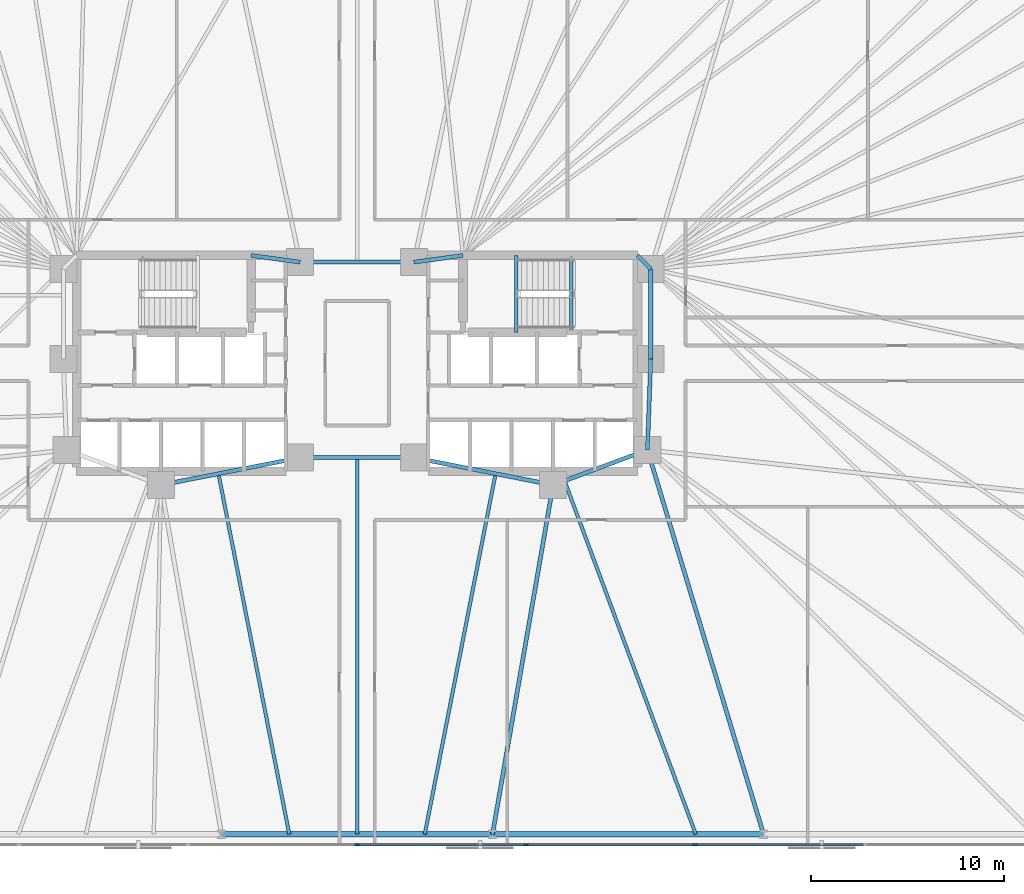
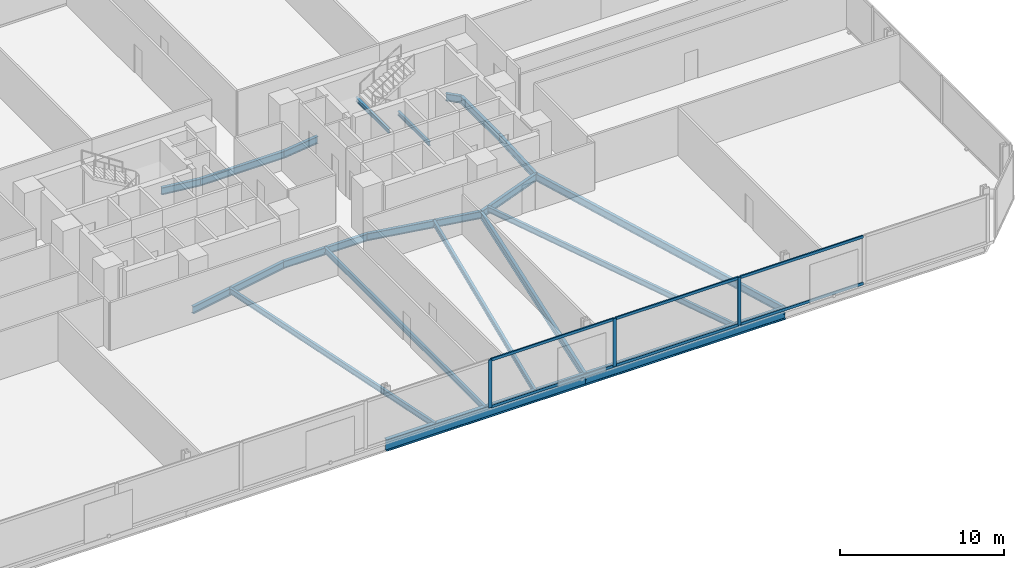
# One storey, part 7 of 17: 20 beams, 9 members, 1 element without a shape of its own.
"""IFC4 building model written with IfcOpenShell, lengths in metres."""

from ifc_helpers import new_model, si_unit, direction, frame, origin, origin_2d, place, context, subcontext, project, spatial, rectangle, i_section, extrude, material, material_profile, profile_set, type_object, element, aggregate, save


model = new_model("IFC4")

# Units and contexts
model_context = context("Model", 3, precision=1e-05, world=origin(), true_north=direction((0.0, 1.0)))
body_context = subcontext(model_context, "Body", "Model", "MODEL_VIEW")
ifc_project = project(units=[si_unit("LENGTHUNIT", "METRE"), si_unit("AREAUNIT", "SQUARE_METRE"), si_unit("VOLUMEUNIT", "CUBIC_METRE"), si_unit("PLANEANGLEUNIT", "RADIAN"), si_unit("MASSUNIT", "GRAM", prefix="KILO")], contexts=[model_context])

# Site, building, storey
site_placement = place(None, origin())
site = spatial("IfcSite", under=ifc_project, at=site_placement, CompositionType="ELEMENT")
building_placement = place(site_placement, origin())
building = spatial("IfcBuilding", under=site, at=building_placement, Name="Menara Jurai Vektor", CompositionType="ELEMENT")
storey_placement = place(building_placement, frame((0.0, 0.0, 21.800048828125)))
storey = spatial("IfcBuildingStorey", under=building, at=storey_placement, Name="L04", CompositionType="ELEMENT", Elevation=21.800048828125)

# Curtain wall, members
ifc_material_1 = material(Name="Anodised Pale Aluminium & Low-E Double Glazing", Category="aluminium")
curtain_wall_type = type_object("IfcCurtainWallType", Name="CW-BLK1", PredefinedType="NOTDEFINED", material=ifc_material_1)
curtain_wall_placement = place(storey_placement, origin())
curtain_wall = element("IfcCurtainWall", 1, at=curtain_wall_placement, inside=storey, type_object=curtain_wall_type, Name="Unitised Curtain Wall L04 F01", PredefinedType="NOTDEFINED")
ifc_material_2 = material(Name="Anodised Pale Aluminium Mullion", Category="aluminium")
ifc_material_profile_1 = material_profile(ifc_material_2, rectangle(XDim=0.094970703125, YDim=0.239990234375, at=origin_2d()), Name="ALU MUL 95x240")
ifc_profile_set_1 = profile_set([ifc_material_profile_1], Name="Anodised Pale Aluminium Mullion")
member_type_1 = type_object("IfcMemberType", Name="CW-BLK1-MUL", PredefinedType="MULLION", material=ifc_profile_set_1)
member_1_placement = place(storey_placement, frame((0.0, -25.0, 0.0), z_axis=(0.0, 0.0, 1.0), x_axis=(0.0, 1.0, 0.0)))
member_1 = element("IfcMember", 2, at=member_1_placement, type_object=member_type_1, Name="CW-01 mullion 5", PredefinedType="MULLION", context=body_context, shape_type="SweptSolid", body=[
    extrude(rectangle(XDim=0.094970703125, YDim=0.239990234375, at=origin_2d()), origin(), (0.0, 0.0, 1.0), 3.574951171875),
])
member_2_placement = place(storey_placement, frame((8.780029296875, -25.0, 0.0), z_axis=(0.0, 0.0, 1.0), x_axis=(0.0, 1.0, 0.0)))
member_2 = element("IfcMember", 3, at=member_2_placement, type_object=member_type_1, Name="CW-01 mullion 6", PredefinedType="MULLION", context=body_context, shape_type="SweptSolid", body=[
    extrude(rectangle(XDim=0.094970703125, YDim=0.239990234375, at=origin_2d()), origin(), (0.0, 0.0, 1.0), 3.574951171875),
])
member_3_placement = place(storey_placement, frame((17.56005859375, -25.0, 0.0), z_axis=(0.0, 0.0, 1.0), x_axis=(0.0, 1.0, 0.0)))
member_3 = element("IfcMember", 4, at=member_3_placement, type_object=member_type_1, Name="CW-01 mullion 7", PredefinedType="MULLION", context=body_context, shape_type="SweptSolid", body=[
    extrude(rectangle(XDim=0.094970703125, YDim=0.239990234375, at=origin_2d()), origin(), (0.0, 0.0, 1.0), 3.574951171875),
])
ifc_material_3 = material(Name="Anodised Pale Aluminium Transom", Category="aluminium")
ifc_material_profile_2 = material_profile(ifc_material_3, rectangle(XDim=0.094970703125, YDim=0.199951171875, at=origin_2d()), Name="ALU TRN 95x200")
ifc_profile_set_2 = profile_set([ifc_material_profile_2], Name="Anodised Pale Aluminium Transom")
member_type_2 = type_object("IfcMemberType", Name="CW-BLK1-TRN", PredefinedType="USERDEFINED", material=ifc_profile_set_2)
member_4_placement = place(storey_placement, frame((0.047607421875, -25.0, 0.04736328125), z_axis=(1.0, 0.0, 0.0), x_axis=(0.0, 1.0, 0.0)))
member_4 = element("IfcMember", 5, at=member_4_placement, type_object=member_type_2, Name="CW-01 transom 5.1", ObjectType="TRANSOM", PredefinedType="USERDEFINED", context=body_context, shape_type="SweptSolid", body=[
    extrude(rectangle(XDim=0.094970703125, YDim=0.199951171875, at=origin_2d()), origin(), (0.0, 0.0, 1.0), 8.684814453125),
])
member_5_placement = place(storey_placement, frame((0.047607421875, -25.0, 3.52734375), z_axis=(1.0, 0.0, 0.0), x_axis=(0.0, 1.0, 0.0)))
member_5 = element("IfcMember", 6, at=member_5_placement, type_object=member_type_2, Name="CW-01 transom 5.2", ObjectType="TRANSOM", PredefinedType="USERDEFINED", context=body_context, shape_type="SweptSolid", body=[
    extrude(rectangle(XDim=0.094970703125, YDim=0.199951171875, at=origin_2d()), origin(), (0.0, 0.0, 1.0), 8.684814453125),
])
member_6_placement = place(storey_placement, frame((8.827392578125, -25.0, 0.04736328125), z_axis=(1.0, 0.0, 0.0), x_axis=(0.0, 1.0, 0.0)))
member_6 = element("IfcMember", 7, at=member_6_placement, type_object=member_type_2, Name="CW-01 transom 6.1", ObjectType="TRANSOM", PredefinedType="USERDEFINED", context=body_context, shape_type="SweptSolid", body=[
    extrude(rectangle(XDim=0.094970703125, YDim=0.199951171875, at=origin_2d()), origin(), (0.0, 0.0, 1.0), 8.68505859375),
])
member_7_placement = place(storey_placement, frame((8.827392578125, -25.0, 3.52734375), z_axis=(1.0, 0.0, 0.0), x_axis=(0.0, 1.0, 0.0)))
member_7 = element("IfcMember", 8, at=member_7_placement, type_object=member_type_2, Name="CW-01 transom 6.2", ObjectType="TRANSOM", PredefinedType="USERDEFINED", context=body_context, shape_type="SweptSolid", body=[
    extrude(rectangle(XDim=0.094970703125, YDim=0.199951171875, at=origin_2d()), origin(), (0.0, 0.0, 1.0), 8.68505859375),
])
member_8_placement = place(storey_placement, frame((17.607421875, -25.0, 0.04736328125), z_axis=(1.0, 0.0, 0.0), x_axis=(0.0, 1.0, 0.0)))
member_8 = element("IfcMember", 9, at=member_8_placement, type_object=member_type_2, Name="CW-01 transom 7.1", ObjectType="TRANSOM", PredefinedType="USERDEFINED", context=body_context, shape_type="SweptSolid", body=[
    extrude(rectangle(XDim=0.094970703125, YDim=0.199951171875, at=origin_2d()), origin(), (0.0, 0.0, 1.0), 8.68505859375),
])
member_9_placement = place(storey_placement, frame((17.607421875, -25.0, 3.52734375), z_axis=(1.0, 0.0, 0.0), x_axis=(0.0, 1.0, 0.0)))
member_9 = element("IfcMember", 10, at=member_9_placement, type_object=member_type_2, Name="CW-01 transom 7.2", ObjectType="TRANSOM", PredefinedType="USERDEFINED", context=body_context, shape_type="SweptSolid", body=[
    extrude(rectangle(XDim=0.094970703125, YDim=0.199951171875, at=origin_2d()), origin(), (0.0, 0.0, 1.0), 8.68505859375),
])
aggregate(curtain_wall, [member_1, member_2, member_3, member_4, member_5, member_6, member_7, member_8, member_9])

# Beams
ifc_material_4 = material(Name="Steel S355", Category="steel")
ifc_material_profile_3 = material_profile(ifc_material_4, i_section(OverallWidth=0.2109375, OverallDepth=0.5390625, WebThickness=0.011962890625, FlangeThickness=0.01904296875, FilletRadius=0.012939453125, at=origin_2d()), Name="UKB 533x210x109")
ifc_profile_set_3 = profile_set([ifc_material_profile_3], Name="Steel S355")
beam_type_1 = type_object("IfcBeamType", Name="STR-BM-533", PredefinedType="BEAM", material=ifc_profile_set_3)
beam_1_placement = place(storey_placement, frame((-5.5, 5.60009765625, -0.49462890625), z_axis=(0.990706818608, -0.136014703483, 0.0), x_axis=(0.136014703483, 0.990706818608, 0.0)))
element("IfcBeam", 11, at=beam_1_placement, inside=storey, type_object=beam_type_1, Name="Core Ring Header Girder L04-CHW-N2", PredefinedType="BEAM", context=body_context, shape_type="SweptSolid", body=[
    extrude(i_section(OverallWidth=0.2109375, OverallDepth=0.5390625, WebThickness=0.011962890625, FlangeThickness=0.01904296875, FilletRadius=0.012939453125, at=origin_2d()), origin(), (0.0, 0.0, 1.0), 2.573974609375),
])
beam_2_placement = place(storey_placement, frame((-10.179931640625, -6.320068359375, -0.49462890625), z_axis=(0.981249044334, 0.192744164614, 0.0), x_axis=(-0.192744164614, 0.981249044334, 0.0)))
element("IfcBeam", 12, at=beam_2_placement, inside=storey, type_object=beam_type_1, Name="Core Ring Header Girder L04-CHW-S2", PredefinedType="BEAM", context=body_context, shape_type="SweptSolid", body=[
    extrude(i_section(OverallWidth=0.2109375, OverallDepth=0.5390625, WebThickness=0.011962890625, FlangeThickness=0.01904296875, FilletRadius=0.012939453125, at=origin_2d()), origin(), (0.0, 0.0, 1.0), 7.3681640625),
])
beam_3_placement = place(storey_placement, frame((2.949951171875, 5.25, -0.49462890625), z_axis=(0.990706818608, 0.136014703483, 0.0), x_axis=(-0.136014703483, 0.990706818608, 0.0)))
element("IfcBeam", 13, at=beam_3_placement, inside=storey, type_object=beam_type_1, Name="Core Ring Header Girder L04-CHE-N1", PredefinedType="BEAM", context=body_context, shape_type="SweptSolid", body=[
    extrude(i_section(OverallWidth=0.2109375, OverallDepth=0.5390625, WebThickness=0.011962890625, FlangeThickness=0.01904296875, FilletRadius=0.012939453125, at=origin_2d()), origin(), (0.0, 0.0, 1.0), 2.573974609375),
])
beam_4_placement = place(storey_placement, frame((14.56005859375, 5.60009765625, -0.49462890625), z_axis=(0.701871936926, -0.712303154672, 0.0), x_axis=(0.712303154672, 0.701871936926, 0.0)))
element("IfcBeam", 14, at=beam_4_placement, inside=storey, type_object=beam_type_1, Name="Core Ring Header Girder L04-CHE-N2", PredefinedType="BEAM", context=body_context, shape_type="SweptSolid", body=[
    extrude(i_section(OverallWidth=0.2109375, OverallDepth=0.5390625, WebThickness=0.011962890625, FlangeThickness=0.01904296875, FilletRadius=0.012939453125, at=origin_2d()), origin(), (0.0, 0.0, 1.0), 0.98291015625),
])
beam_5_placement = place(storey_placement, frame((15.25, 0.219970703125, -0.49462890625), z_axis=(0.0, 1.0, 0.0), x_axis=(-1.0, 0.0, 0.0)))
element("IfcBeam", 15, at=beam_5_placement, inside=storey, type_object=beam_type_1, Name="Core Ring Header Girder L04-CHE-E1", PredefinedType="BEAM", context=body_context, shape_type="SweptSolid", body=[
    extrude(i_section(OverallWidth=0.2109375, OverallDepth=0.5390625, WebThickness=0.011962890625, FlangeThickness=0.01904296875, FilletRadius=0.012939453125, at=origin_2d()), origin(), (0.0, 0.0, 1.0), 4.679931640625),
])
beam_6_placement = place(storey_placement, frame((15.080078125, -4.5, -0.49462890625), z_axis=(0.035977314146, 0.999352606874, 0.0), x_axis=(-0.999352606874, 0.035977314146, 0.0)))
element("IfcBeam", 16, at=beam_6_placement, inside=storey, type_object=beam_type_1, Name="Core Ring Header Girder L04-CHE-E2", PredefinedType="BEAM", context=body_context, shape_type="SweptSolid", body=[
    extrude(i_section(OverallWidth=0.2109375, OverallDepth=0.5390625, WebThickness=0.011962890625, FlangeThickness=0.01904296875, FilletRadius=0.012939453125, at=origin_2d()), origin(), (0.0, 0.0, 1.0), 4.72314453125),
])
beam_7_placement = place(storey_placement, frame((10.179931640625, -6.320068359375, -0.49462890625), z_axis=(0.937424400887, 0.348188874925, 0.0), x_axis=(-0.348188874925, 0.937424400887, 0.0)))
element("IfcBeam", 17, at=beam_7_placement, inside=storey, type_object=beam_type_1, Name="Core Ring Header Girder L04-CHE-S1", PredefinedType="BEAM", context=body_context, shape_type="SweptSolid", body=[
    extrude(i_section(OverallWidth=0.2109375, OverallDepth=0.5390625, WebThickness=0.011962890625, FlangeThickness=0.01904296875, FilletRadius=0.012939453125, at=origin_2d()), origin(), (0.0, 0.0, 1.0), 5.227294921875),
])
beam_8_placement = place(storey_placement, frame((2.949951171875, -4.89990234375, -0.49462890625), z_axis=(0.981249044334, -0.192744164614, 0.0), x_axis=(0.192744164614, 0.981249044334, 0.0)))
element("IfcBeam", 18, at=beam_8_placement, inside=storey, type_object=beam_type_1, Name="Core Ring Header Girder L04-CHE-S2", PredefinedType="BEAM", context=body_context, shape_type="SweptSolid", body=[
    extrude(i_section(OverallWidth=0.2109375, OverallDepth=0.5390625, WebThickness=0.011962890625, FlangeThickness=0.01904296875, FilletRadius=0.012939453125, at=origin_2d()), origin(), (0.0, 0.0, 1.0), 7.3681640625),
])
for number, where, z_axis, x_axis, name in (
    (19, (-2.949951171875, -4.89990234375, -0.49462890625), (1.0, 0.0, 0.0), (0.0, 1.0, 0.0), "Core Ring Header Girder L04-CC-1"),
    (20, (-2.949951171875, 5.25, -0.49462890625), (1.0, 0.0, 0.0), (0.0, 1.0, 0.0), "Core Ring Header Girder L04-CC-2"),
):
    element("IfcBeam", number, at=place(storey_placement, frame(where, z_axis=z_axis, x_axis=x_axis)), inside=storey, type_object=beam_type_1, Name=name, PredefinedType="BEAM", context=body_context, shape_type="SweptSolid", body=[
        extrude(i_section(OverallWidth=0.2109375, OverallDepth=0.5390625, WebThickness=0.011962890625, FlangeThickness=0.01904296875, FilletRadius=0.012939453125, at=origin_2d()), origin(), (0.0, 0.0, 1.0), 5.89990234375),
    ])
beam_9_placement = place(storey_placement, frame((7.03564453125, -24.449951171875, -0.49462890625), z_axis=(0.170880325642, 0.985291791455, 0.0), x_axis=(-0.985291791455, 0.170880325642, 0.0)))
element("IfcBeam", 21, at=beam_9_placement, inside=storey, type_object=beam_type_1, Name="Radial Floor Girder L04-S4", PredefinedType="BEAM", context=body_context, shape_type="SweptSolid", body=[
    extrude(i_section(OverallWidth=0.2109375, OverallDepth=0.5390625, WebThickness=0.011962890625, FlangeThickness=0.01904296875, FilletRadius=0.012939453125, at=origin_2d()), origin(), (0.0, 0.0, 1.0), 18.400634765625),
])
beam_10_placement = place(storey_placement, frame((21.106689453125, -24.449951171875, -0.49462890625), z_axis=(-0.289179812203, 0.957274796604, 0.0), x_axis=(-0.957274796604, -0.289179812203, 0.0)))
element("IfcBeam", 22, at=beam_10_placement, inside=storey, type_object=beam_type_1, Name="Radial Floor Girder L04-S5", PredefinedType="BEAM", context=body_context, shape_type="SweptSolid", body=[
    extrude(i_section(OverallWidth=0.2109375, OverallDepth=0.5390625, WebThickness=0.011962890625, FlangeThickness=0.01904296875, FilletRadius=0.012939453125, at=origin_2d()), origin(), (0.0, 0.0, 1.0), 20.84033203125),
])
ifc_material_profile_4 = material_profile(ifc_material_4, i_section(OverallWidth=0.178955078125, OverallDepth=0.408935546875, WebThickness=0.009033203125, FlangeThickness=0.013916015625, FilletRadius=0.010009765625, at=origin_2d()), Name="UKB 406x178x67")
ifc_profile_set_4 = profile_set([ifc_material_profile_4], Name="Steel S355")
beam_type_2 = type_object("IfcBeamType", Name="STR-JS-406", PredefinedType="JOIST", material=ifc_profile_set_4)
beam_11_placement = place(storey_placement, frame((-3.517822265625, -24.449951171875, -0.429443359375), z_axis=(-0.192723076671, 0.981253186348, 0.0), x_axis=(-0.981253186348, -0.192723076671, 0.0)))
element("IfcBeam", 23, at=beam_11_placement, inside=storey, type_object=beam_type_2, Name="Radial Secondary Floor Joist L04-JS04", PredefinedType="JOIST", context=body_context, shape_type="SweptSolid", body=[
    extrude(i_section(OverallWidth=0.178955078125, OverallDepth=0.408935546875, WebThickness=0.009033203125, FlangeThickness=0.013916015625, FilletRadius=0.010009765625, at=origin_2d()), origin(), (0.0, 0.0, 1.0), 19.07421875),
])
beam_12_placement = place(storey_placement, frame((0.0, -24.449951171875, -0.429443359375), z_axis=(0.0, 1.0, 0.0), x_axis=(-1.0, 0.0, 0.0)))
element("IfcBeam", 24, at=beam_12_placement, inside=storey, type_object=beam_type_2, Name="Radial Secondary Floor Joist L04-JS05", PredefinedType="JOIST", context=body_context, shape_type="SweptSolid", body=[
    extrude(i_section(OverallWidth=0.178955078125, OverallDepth=0.408935546875, WebThickness=0.009033203125, FlangeThickness=0.013916015625, FilletRadius=0.010009765625, at=origin_2d()), origin(), (0.0, 0.0, 1.0), 19.550048828125),
])
beam_13_placement = place(storey_placement, frame((3.517822265625, -24.449951171875, -0.429443359375), z_axis=(0.192723076671, 0.981253186348, 0.0), x_axis=(-0.981253186348, 0.192723076671, 0.0)))
element("IfcBeam", 25, at=beam_13_placement, inside=storey, type_object=beam_type_2, Name="Radial Secondary Floor Joist L04-JS06", PredefinedType="JOIST", context=body_context, shape_type="SweptSolid", body=[
    extrude(i_section(OverallWidth=0.178955078125, OverallDepth=0.408935546875, WebThickness=0.009033203125, FlangeThickness=0.013916015625, FilletRadius=0.010009765625, at=origin_2d()), origin(), (0.0, 0.0, 1.0), 19.07421875),
])
beam_14_placement = place(storey_placement, frame((17.5888671875, -24.449951171875, -0.429443359375), z_axis=(-0.348179014223, 0.937428063403, 0.0), x_axis=(-0.937428063403, -0.348179014223, 0.0)))
element("IfcBeam", 26, at=beam_14_placement, inside=storey, type_object=beam_type_2, Name="Radial Secondary Floor Joist L04-JS07", PredefinedType="JOIST", context=body_context, shape_type="SweptSolid", body=[
    extrude(i_section(OverallWidth=0.178955078125, OverallDepth=0.408935546875, WebThickness=0.009033203125, FlangeThickness=0.013916015625, FilletRadius=0.010009765625, at=origin_2d()), origin(), (0.0, 0.0, 1.0), 19.5751953125),
])
ifc_material_profile_5 = material_profile(ifc_material_4, i_section(OverallWidth=0.1650390625, OverallDepth=0.302978515625, WebThickness=0.006103515625, FlangeThickness=0.010009765625, FilletRadius=0.009033203125, at=origin_2d()), Name="UKB 305x165x40")
ifc_profile_set_5 = profile_set([ifc_material_profile_5], Name="Steel S355")
beam_type_3 = type_object("IfcBeamType", Name="STR-LN-305", PredefinedType="LINTEL", material=ifc_profile_set_5)
beam_15_placement = place(storey_placement, frame((11.1201171875, 1.60009765625, -0.37646484375), z_axis=(0.0, 1.0, 0.0), x_axis=(-1.0, 0.0, 0.0)))
element("IfcBeam", 27, at=beam_15_placement, inside=storey, type_object=beam_type_3, Name="Stair Well Floor Trimmer ST2 L04", PredefinedType="LINTEL", context=body_context, shape_type="SweptSolid", body=[
    extrude(i_section(OverallWidth=0.1650390625, OverallDepth=0.302978515625, WebThickness=0.006103515625, FlangeThickness=0.010009765625, FilletRadius=0.009033203125, at=origin_2d()), origin(), (0.0, 0.0, 1.0), 3.81982421875),
])
beam_16_placement = place(storey_placement, frame((8.27001953125, 1.60009765625, 1.54833984375), z_axis=(0.0, 1.0, 0.0), x_axis=(-1.0, 0.0, 0.0)))
element("IfcBeam", 28, at=beam_16_placement, inside=storey, type_object=beam_type_3, Name="Stair Half-Landing Nosing Trimmer ST2-1 L04", PredefinedType="LINTEL", context=body_context, shape_type="SweptSolid", body=[
    extrude(i_section(OverallWidth=0.1650390625, OverallDepth=0.302978515625, WebThickness=0.006103515625, FlangeThickness=0.010009765625, FilletRadius=0.009033203125, at=origin_2d()), origin(), (0.0, 0.0, 1.0), 4.0),
])
ifc_material_5 = material(Name="Steel S460", Category="steel")
ifc_material_profile_6 = material_profile(ifc_material_5, i_section(OverallWidth=0.2939453125, OverallDepth=0.85107421875, WebThickness=0.01611328125, FlangeThickness=0.027099609375, FilletRadius=0.01806640625, at=origin_2d()), Name="UKB 838x292x226")
ifc_profile_set_6 = profile_set([ifc_material_profile_6], Name="Steel S460")
beam_type_4 = type_object("IfcBeamType", Name="STR-SP-838", PredefinedType="SPANDREL", material=ifc_profile_set_6)
beam_17_placement = place(storey_placement, frame((-7.03564453125, -24.449951171875, -0.650634765625), z_axis=(1.0, 0.0, 0.0), x_axis=(0.0, 1.0, 0.0)))
element("IfcBeam", 29, at=beam_17_placement, inside=storey, type_object=beam_type_4, Name="Exoskeleton Spandrel Beam L04-03", PredefinedType="SPANDREL", context=body_context, shape_type="SweptSolid", body=[
    extrude(i_section(OverallWidth=0.2939453125, OverallDepth=0.85107421875, WebThickness=0.01611328125, FlangeThickness=0.027099609375, FilletRadius=0.01806640625, at=origin_2d()), origin(), (0.0, 0.0, 1.0), 14.0712890625),
])
beam_18_placement = place(storey_placement, frame((7.03564453125, -24.449951171875, -0.650634765625), z_axis=(1.0, 0.0, 0.0), x_axis=(0.0, 1.0, 0.0)))
element("IfcBeam", 30, at=beam_18_placement, inside=storey, type_object=beam_type_4, Name="Exoskeleton Spandrel Beam L04-04", PredefinedType="SPANDREL", context=body_context, shape_type="SweptSolid", body=[
    extrude(i_section(OverallWidth=0.2939453125, OverallDepth=0.85107421875, WebThickness=0.01611328125, FlangeThickness=0.027099609375, FilletRadius=0.01806640625, at=origin_2d()), origin(), (0.0, 0.0, 1.0), 14.071044921875),
])

save(model, "model.ifc")
